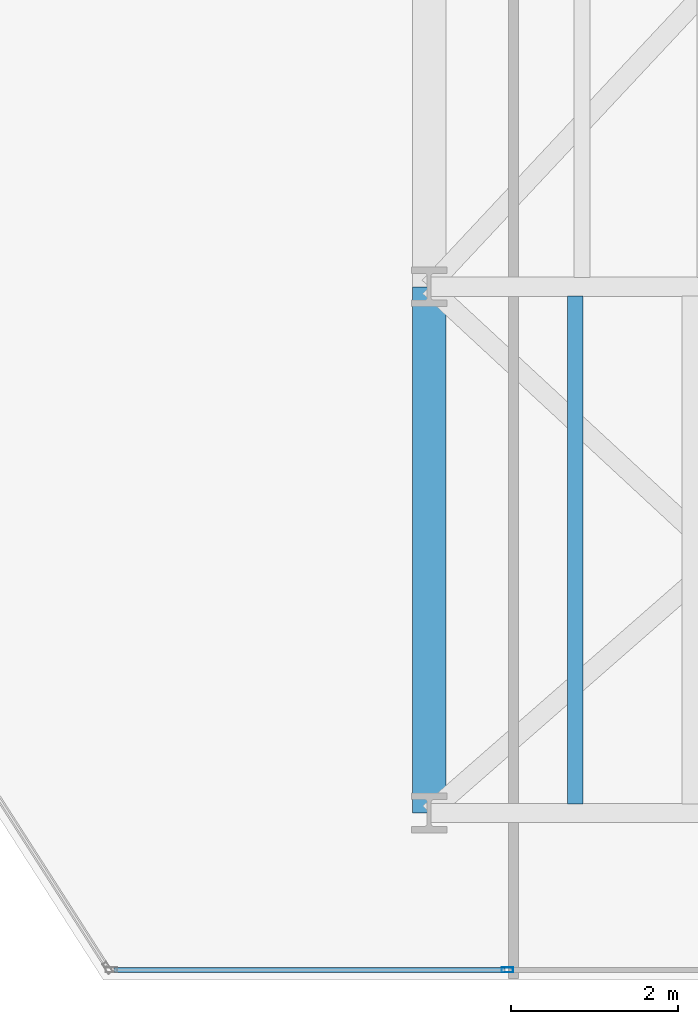
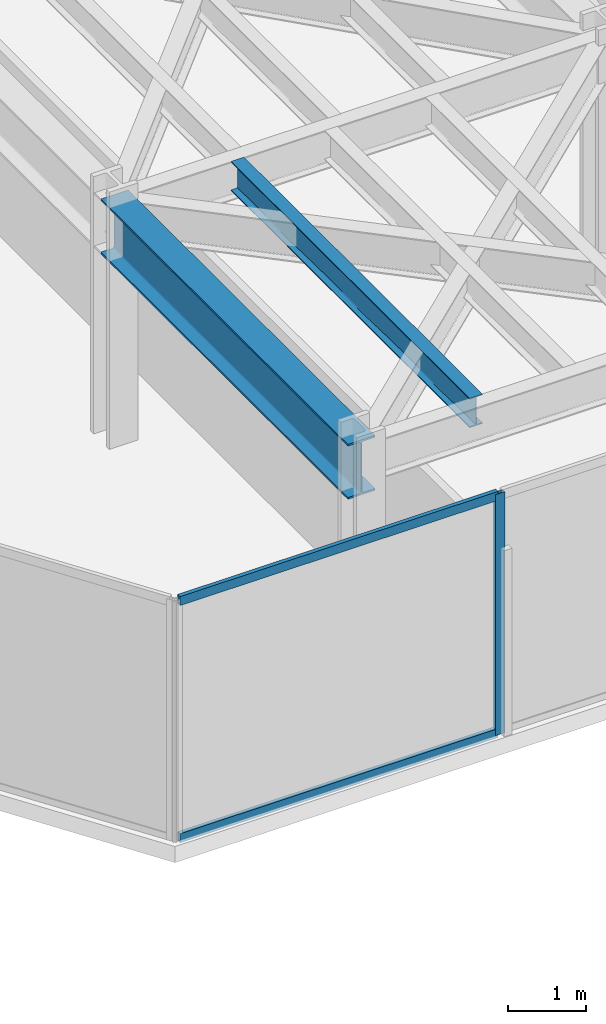
# One storey, part 16 of 26: 3 members, 2 beams, 1 element without a shape of its own.
"""IFC4 building model written with IfcOpenShell, lengths in metres."""

from ifc_helpers import new_model, si_unit, direction, frame, origin, origin_2d, place, context, subcontext, project, spatial, hollow_rectangle, i_section, extrude, material, layer, layer_set, material_profile, profile_set, type_object, element, aggregate, save


model = new_model("IFC4")

# Units and contexts
model_context = context("Model", 3, precision=1e-05, world=origin(), true_north=direction((0.0, 1.0)))
body_context = subcontext(model_context, "Body", "Model", "MODEL_VIEW")
ifc_project = project(units=[si_unit("LENGTHUNIT", "METRE"), si_unit("AREAUNIT", "SQUARE_METRE"), si_unit("VOLUMEUNIT", "CUBIC_METRE"), si_unit("PLANEANGLEUNIT", "RADIAN"), si_unit("MASSUNIT", "GRAM", prefix="KILO")], contexts=[model_context])

# Site, building, storey
site_placement = place(None, origin())
site = spatial("IfcSite", under=ifc_project, at=site_placement, CompositionType="ELEMENT")
building_placement = place(site_placement, origin())
building = spatial("IfcBuilding", under=site, at=building_placement, Name="Kravanh Interchange Tower", CompositionType="ELEMENT")
storey_placement = place(building_placement, frame((0.0, 0.0, 112.0)))
storey = spatial("IfcBuildingStorey", under=building, at=storey_placement, Name="L26", CompositionType="ELEMENT", Elevation=112.0)

# Curtain wall, members
ifc_material_1 = material(Name="Anodised Bronze Aluminium", Category="aluminium")
ifc_layer = layer(ifc_material_1, 0.179931640625)
ifc_layer_set = layer_set([ifc_layer], Name="Unitised Curtain Wall System CW-Z2 Mid Office")
curtain_wall_type = type_object("IfcCurtainWallType", Name="Unitised Curtain Wall System CW-Z2 Mid Office", PredefinedType="NOTDEFINED", material=ifc_layer_set)
curtain_wall_placement = place(storey_placement, origin())
curtain_wall = element("IfcCurtainWall", 1, at=curtain_wall_placement, inside=storey, type_object=curtain_wall_type, Name="L26 Unitised Curtain Wall CW-L26-03", PredefinedType="NOTDEFINED")
ifc_material_2 = material(Name="Anodised Bronze Aluminium", Category="aluminium")
ifc_material_profile_1 = material_profile(ifc_material_2, hollow_rectangle(XDim=0.06005859375, YDim=0.139892578125, WallThickness=0.00390625, at=origin_2d()), Name="ALU60X140X4")
ifc_profile_set_1 = profile_set([ifc_material_profile_1], Name="Anodised Bronze Aluminium")
member_type_1 = type_object("IfcMemberType", Name="Curtain Wall Mullion ALU60X140X4 Bronze", PredefinedType="MULLION", material=ifc_profile_set_1)
member_1_placement = place(storey_placement, frame((56.93798828125, 6.320068359375, 0.0), z_axis=(0.0, 0.0, 1.0), x_axis=(0.0, -1.0, 0.0)))
member_1 = element("IfcMember", 2, at=member_1_placement, type_object=member_type_1, Name="CW-Z2 mullion 2", PredefinedType="MULLION", context=body_context, shape_type="SweptSolid", body=[
    extrude(hollow_rectangle(XDim=0.06005859375, YDim=0.139892578125, WallThickness=0.00390625, at=origin_2d()), origin(), (0.0, 0.0, 1.0), 3.75),
])
ifc_material_3 = material(Name="Anodised Bronze Aluminium", Category="aluminium")
ifc_material_profile_2 = material_profile(ifc_material_3, hollow_rectangle(XDim=0.06005859375, YDim=0.139892578125, WallThickness=0.00390625, at=origin_2d()), Name="ALU60X140X4")
ifc_profile_set_2 = profile_set([ifc_material_profile_2], Name="Anodised Bronze Aluminium")
member_type_2 = type_object("IfcMemberType", Name="Curtain Wall Transom ALU60X140X4 Bronze", PredefinedType="USERDEFINED", material=ifc_profile_set_2)
member_2_placement = place(storey_placement, frame((56.907958984375, 6.320068359375, 0.030029296875), z_axis=(-1.0, 0.0, 0.0), x_axis=(0.0, -1.0, 0.0)))
member_2 = element("IfcMember", 3, at=member_2_placement, type_object=member_type_2, Name="CW-Z2 transom 2.1", ObjectType="TRANSOM", PredefinedType="USERDEFINED", context=body_context, shape_type="SweptSolid", body=[
    extrude(hollow_rectangle(XDim=0.06005859375, YDim=0.139892578125, WallThickness=0.00390625, at=origin_2d()), origin(), (0.0, 0.0, 1.0), 4.682373046875),
])
member_3_placement = place(storey_placement, frame((56.907958984375, 6.320068359375, 3.719970703125), z_axis=(-1.0, 0.0, 0.0), x_axis=(0.0, -1.0, 0.0)))
member_3 = element("IfcMember", 4, at=member_3_placement, type_object=member_type_2, Name="CW-Z2 transom 2.2", ObjectType="TRANSOM", PredefinedType="USERDEFINED", context=body_context, shape_type="SweptSolid", body=[
    extrude(hollow_rectangle(XDim=0.06005859375, YDim=0.139892578125, WallThickness=0.00390625, at=origin_2d()), origin(), (0.0, 0.0, 1.0), 4.682373046875),
])
aggregate(curtain_wall, [member_1, member_2, member_3])

# Beams
ifc_material_4 = material(Name="Structural Steel S355", Category="steel")
ifc_material_profile_3 = material_profile(ifc_material_4, i_section(OverallWidth=0.39990234375, OverallDepth=0.85595703125, WebThickness=0.018310546875, FlangeThickness=0.029296875, FilletRadius=0.02490234375, at=origin_2d()), Name="W33X201")
ifc_profile_set_3 = profile_set([ifc_material_profile_3], Name="Structural Steel S355")
beam_type_1 = type_object("IfcBeamType", Name="Floor Beam W33X201 Structural Steel S355", PredefinedType="BEAM", material=ifc_profile_set_3)
beam_1_placement = place(storey_placement, frame((56.0, 8.199951171875, 3.322021484375), z_axis=(0.0, 1.0, 0.0), x_axis=(-1.0, 0.0, 0.0)))
element("IfcBeam", 5, at=beam_1_placement, inside=storey, type_object=beam_type_1, Name="L26 Primary Floor Girder 95", PredefinedType="BEAM", context=body_context, shape_type="SweptSolid", body=[
    extrude(i_section(OverallWidth=0.39990234375, OverallDepth=0.85595703125, WebThickness=0.018310546875, FlangeThickness=0.029296875, FilletRadius=0.02490234375, at=origin_2d()), origin(), (0.0, 0.0, 1.0), 6.300048828125),
])
ifc_material_5 = material(Name="Structural Steel S355", Category="steel")
ifc_material_profile_4 = material_profile(ifc_material_5, i_section(OverallWidth=0.18994140625, OverallDepth=0.45703125, WebThickness=0.009033203125, FlangeThickness=0.014404296875, FilletRadius=0.01806640625, at=origin_2d()), Name="W18X50")
ifc_profile_set_4 = profile_set([ifc_material_profile_4], Name="Structural Steel S355")
beam_type_2 = type_object("IfcBeamType", Name="Floor Joist W18X50 Structural Steel S355", PredefinedType="JOIST", material=ifc_profile_set_4)
beam_2_placement = place(storey_placement, frame((57.75, 8.30908203125, 3.521484375), z_axis=(0.0, 1.0, 0.0), x_axis=(-1.0, 0.0, 0.0)))
element("IfcBeam", 6, at=beam_2_placement, inside=storey, type_object=beam_type_2, Name="L26 Secondary Floor Joist 4", PredefinedType="JOIST", context=body_context, shape_type="SweptSolid", body=[
    extrude(i_section(OverallWidth=0.18994140625, OverallDepth=0.45703125, WebThickness=0.009033203125, FlangeThickness=0.014404296875, FilletRadius=0.01806640625, at=origin_2d()), origin(), (0.0, 0.0, 1.0), 6.08203125),
])

save(model, "model.ifc")
